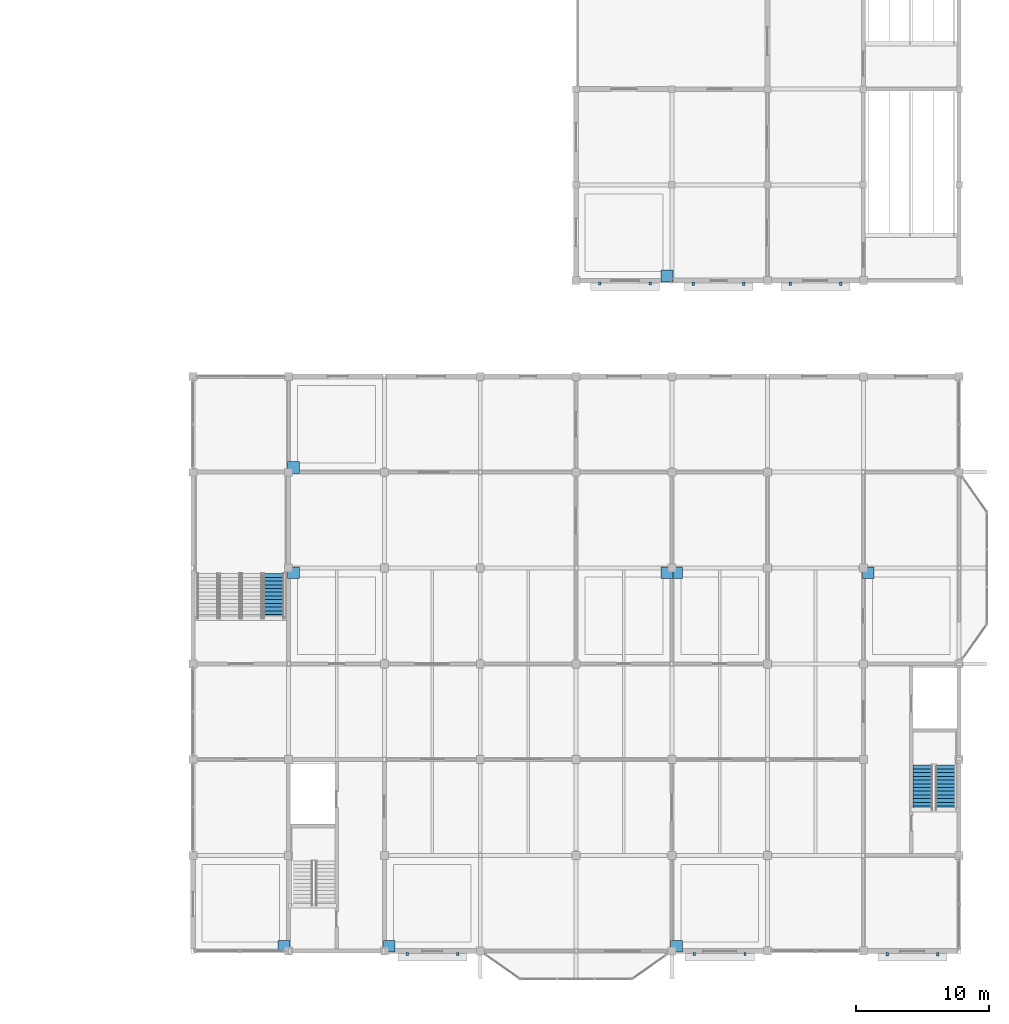
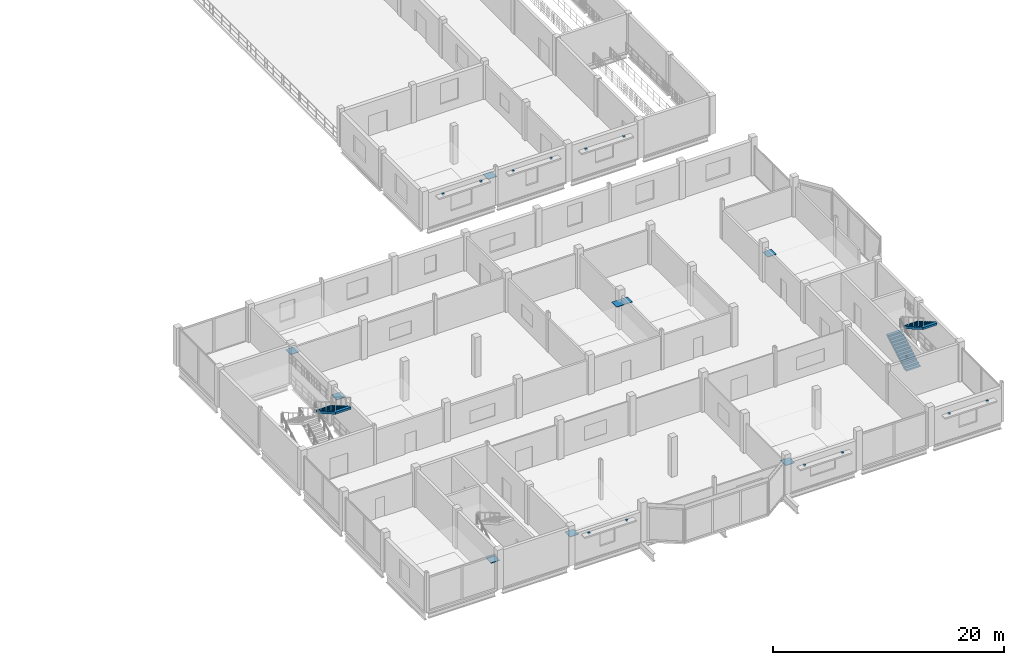
# One storey, part 41 of 51: 21 discrete accessories, 3 stair flights, 2 elements without a shape of their own.
"""IFC4 building model written with IfcOpenShell, lengths in metres."""

from ifc_helpers import new_model, si_unit, direction, frame, origin, origin_2d, place, context, subcontext, project, spatial, polyline, rectangle, outline, extrude, material, type_object, element, aggregate, save


model = new_model("IFC4")

# Units and contexts
model_context = context("Model", 3, precision=1e-05, world=origin(), true_north=direction((0.0, 1.0)))
body_context = subcontext(model_context, "Body", "Model", "MODEL_VIEW")
ifc_project = project(units=[si_unit("LENGTHUNIT", "METRE"), si_unit("AREAUNIT", "SQUARE_METRE"), si_unit("VOLUMEUNIT", "CUBIC_METRE"), si_unit("PLANEANGLEUNIT", "RADIAN"), si_unit("MASSUNIT", "GRAM", prefix="KILO")], contexts=[model_context])

# Site, building, storey
site_placement = place(None, origin())
site = spatial("IfcSite", under=ifc_project, at=site_placement, CompositionType="ELEMENT")
building_placement = place(site_placement, origin())
building = spatial("IfcBuilding", under=site, at=building_placement, Name="Vesperath Aquatics Centre", CompositionType="ELEMENT")
storey_placement = place(building_placement, frame((0.0, 0.0, 15.0)))
storey = spatial("IfcBuildingStorey", under=building, at=storey_placement, Name="L03", CompositionType="ELEMENT", Elevation=15.0)

# Stair, stair flights
ifc_material_1 = material(Name="Concrete C35", Category="concrete")
stair_type_1 = type_object("IfcStairType", Name="ST-HT42", PredefinedType="HALF_TURN_STAIR", material=ifc_material_1)
stair_1_placement = place(storey_placement, origin())
stair_1 = element("IfcStair", 1, at=stair_1_placement, inside=storey, type_object=stair_type_1, Name="Enclosed Exit Stair ST6 L03", PredefinedType="HALF_TURN_STAIR")
stair_flight_type_1 = type_object("IfcStairFlightType", Name="SF-F42", PredefinedType="STRAIGHT", material=ifc_material_1)
stair_flight_1_placement = place(storey_placement, frame((170.070068359375, 10.6201171875, 0.0), z_axis=(0.0, 0.0, 1.0), x_axis=(0.0, 1.0, 0.0)))
stair_flight_1 = element("IfcStairFlight", 2, at=stair_flight_1_placement, type_object=stair_flight_type_1, Name="Stair ST6 Flight 1 L03", NumberOfRisers=13, NumberOfTreads=12, PredefinedType="STRAIGHT", RiserHeight=0.161538, TreadLength=0.28, context=body_context, shape_type="SweptSolid", body=[
    extrude(outline(polyline([(0.0, 0.0), (0.0, 0.16162109375), (0.280029296875, 0.16162109375), (0.280029296875, 0.322998046875), (0.56005859375, 0.322998046875), (0.56005859375, 0.484619140625), (0.840087890625, 0.484619140625), (0.840087890625, 0.646240234375), (1.1201171875, 0.646240234375), (1.1201171875, 0.8076171875), (1.39990234375, 0.8076171875), (1.39990234375, 0.96923828125), (1.679931640625, 0.96923828125), (1.679931640625, 1.130859375), (1.9599609375, 1.130859375), (1.9599609375, 1.292236328125), (2.239990234375, 1.292236328125), (2.239990234375, 1.453857421875), (2.52001953125, 1.453857421875), (2.52001953125, 1.615478515625), (2.800048828125, 1.615478515625), (2.800048828125, 1.77685546875), (3.080078125, 1.77685546875), (3.080078125, 1.9384765625), (3.360107421875, 1.9384765625), (3.360107421875, 2.10009765625), (3.360107421875, 1.730712890625), (0.360107421875, 0.0), (0.0, 0.0)])), frame((0.0, 0.719970703125, 0.0), z_axis=(0.0, -1.0, 0.0), x_axis=(1.0, 0.0, 0.0)), (0.0, 0.0, 1.0), 1.43994140625),
])
stair_flight_2_placement = place(storey_placement, frame((171.75, 13.97998046875, 2.10009765625), z_axis=(0.0, 0.0, 1.0), x_axis=(0.0, -1.0, 0.0)))
stair_flight_2 = element("IfcStairFlight", 3, at=stair_flight_2_placement, type_object=stair_flight_type_1, Name="Stair ST6 Flight 2 L03", NumberOfRisers=13, NumberOfTreads=12, PredefinedType="STRAIGHT", RiserHeight=0.161538, TreadLength=0.28, context=body_context, shape_type="SweptSolid", body=[
    extrude(outline(polyline([(0.0, 0.0), (0.0, 0.16162109375), (0.280029296875, 0.16162109375), (0.280029296875, 0.322998046875), (0.56005859375, 0.322998046875), (0.56005859375, 0.484619140625), (0.840087890625, 0.484619140625), (0.840087890625, 0.646240234375), (1.1201171875, 0.646240234375), (1.1201171875, 0.8076171875), (1.39990234375, 0.8076171875), (1.39990234375, 0.96923828125), (1.679931640625, 0.96923828125), (1.679931640625, 1.130859375), (1.9599609375, 1.130859375), (1.9599609375, 1.292236328125), (2.239990234375, 1.292236328125), (2.239990234375, 1.453857421875), (2.52001953125, 1.453857421875), (2.52001953125, 1.615478515625), (2.800048828125, 1.615478515625), (2.800048828125, 1.77685546875), (3.080078125, 1.77685546875), (3.080078125, 1.9384765625), (3.360107421875, 1.9384765625), (3.360107421875, 2.10009765625), (3.360107421875, 1.730712890625), (0.360107421875, 0.0), (0.0, 0.0)])), frame((0.0, 0.719970703125, 0.0), z_axis=(0.0, -1.0, 0.0), x_axis=(1.0, 0.0, 0.0)), (0.0, 0.0, 1.0), 1.43994140625),
])
aggregate(stair_1, [stair_flight_1, stair_flight_2])

# Stair, stair flight
stair_type_2 = type_object("IfcStairType", Name="ST-HW42", PredefinedType="HALF_TURN_STAIR", material=ifc_material_1)
stair_2_placement = place(storey_placement, origin())
stair_2 = element("IfcStair", 4, at=stair_2_placement, inside=storey, type_object=stair_type_2, Name="Enclosed Exit Stair ST7B L03", PredefinedType="HALF_TURN_STAIR")
stair_flight_type_2 = type_object("IfcStairFlightType", Name="SF-W42", PredefinedType="STRAIGHT", material=ifc_material_1)
stair_flight_3_placement = place(storey_placement, frame((121.27490234375, 28.3798828125, 2.10009765625), z_axis=(0.0, 0.0, 1.0), x_axis=(0.0, -1.0, 0.0)))
stair_flight_3 = element("IfcStairFlight", 5, at=stair_flight_3_placement, type_object=stair_flight_type_2, Name="Stair ST7B Flight 2 L03", NumberOfRisers=13, NumberOfTreads=12, PredefinedType="STRAIGHT", RiserHeight=0.161538, TreadLength=0.28, context=body_context, shape_type="SweptSolid", body=[
    extrude(outline(polyline([(0.0, 0.0), (0.0, 0.16162109375), (0.280029296875, 0.16162109375), (0.280029296875, 0.322998046875), (0.56005859375, 0.322998046875), (0.56005859375, 0.484619140625), (0.840087890625, 0.484619140625), (0.840087890625, 0.646240234375), (1.1201171875, 0.646240234375), (1.1201171875, 0.8076171875), (1.39990234375, 0.8076171875), (1.39990234375, 0.96923828125), (1.679931640625, 0.96923828125), (1.679931640625, 1.130859375), (1.9599609375, 1.130859375), (1.9599609375, 1.292236328125), (2.239990234375, 1.292236328125), (2.239990234375, 1.453857421875), (2.52001953125, 1.453857421875), (2.52001953125, 1.615478515625), (2.800048828125, 1.615478515625), (2.800048828125, 1.77685546875), (3.080078125, 1.77685546875), (3.080078125, 1.9384765625), (3.360107421875, 1.9384765625), (3.360107421875, 2.10009765625), (3.360107421875, 1.730712890625), (0.360107421875, 0.0), (0.0, 0.0)])), frame((0.0, 0.78515625, 0.0), z_axis=(0.0, -1.0, 0.0), x_axis=(1.0, 0.0, 0.0)), (0.0, 0.0, 1.0), 1.570068359375),
])
aggregate(stair_2, [stair_flight_3])

# Discrete accessories
ifc_material_2 = material(Name="Stainless steel facade anchor bracket", Category="steel")
discrete_accessory_type = type_object("IfcDiscreteAccessoryType", Name="DA-BRK01", PredefinedType="BRACKET", material=ifc_material_2)
for number, where, z_axis, x_axis, name in (
    (6, (131.300048828125, -0.219970703125, 2.72998046875), (0.0, 0.0, 1.0), (1.0, 0.0, 0.0), "Sunshade Anchor Bracket BK01 L03_S_18_00-W"),
    (7, (135.10009765625, -0.219970703125, 2.72998046875), (0.0, 0.0, 1.0), (1.0, 0.0, 0.0), "Sunshade Anchor Bracket BK01 L03_S_18_00-E"),
    (8, (152.89990234375, -0.219970703125, 2.330078125), (0.0, 0.0, 1.0), (1.0, 0.0, 0.0), "Sunshade Anchor Bracket BK01 L03_S_21_00-W"),
    (9, (156.699951171875, -0.219970703125, 2.330078125), (0.0, 0.0, 1.0), (1.0, 0.0, 0.0), "Sunshade Anchor Bracket BK01 L03_S_21_00-E"),
    (10, (167.387451171875, -0.22998046875, 2.72998046875), (0.0, 0.0, 1.0), (1.0, 0.0, 0.0), "Sunshade Anchor Bracket BK01 L03_S_23_00-W"),
    (11, (171.1875, -0.22998046875, 2.72998046875), (0.0, 0.0, 1.0), (1.0, 0.0, 0.0), "Sunshade Anchor Bracket BK01 L03_S_23_00-E"),
    (12, (145.78759765625, 50.179931640625, 2.97998046875), (0.0, 0.0, 1.0), (1.0, 0.0, 0.0), "Sunshade Anchor Bracket BK01 L03_S_20_07-W"),
    (13, (149.58740234375, 50.179931640625, 2.97998046875), (0.0, 0.0, 1.0), (1.0, 0.0, 0.0), "Sunshade Anchor Bracket BK01 L03_S_20_07-E"),
    (14, (152.8125, 50.169921875, 2.97998046875), (0.0, 0.0, 1.0), (1.0, 0.0, 0.0), "Sunshade Anchor Bracket BK01 L03_S_21_07-W"),
    (15, (156.612548828125, 50.169921875, 2.97998046875), (0.0, 0.0, 1.0), (1.0, 0.0, 0.0), "Sunshade Anchor Bracket BK01 L03_S_21_07-E"),
    (16, (160.10009765625, 50.169921875, 2.72998046875), (0.0, 0.0, 1.0), (1.0, 0.0, 0.0), "Sunshade Anchor Bracket BK01 L03_S_22_07-W"),
    (17, (163.89990234375, 50.169921875, 2.72998046875), (0.0, 0.0, 1.0), (1.0, 0.0, 0.0), "Sunshade Anchor Bracket BK01 L03_S_22_07-E"),
):
    element("IfcDiscreteAccessory", number, at=place(storey_placement, frame(where, z_axis=z_axis, x_axis=x_axis)), inside=storey, type_object=discrete_accessory_type, Name=name, PredefinedType="BRACKET", context=body_context, shape_type="SweptSolid", body=[
        extrude(rectangle(XDim=0.179931640625, YDim=0.239990234375, at=origin_2d()), origin(), (0.0, 0.0, 1.0), 0.179931640625),
    ])
for number, where, z_axis, x_axis, name in (
    (18, (122.0400390625, 0.360107421875, 2.8701171875), (0.0, 0.0, 1.0), (1.0, 0.0, 0.0), "Ceiling Perimeter Suspension Bracket BK01 L03_AEROBIC"),
    (19, (129.9599609375, 0.360107421875, 2.8701171875), (0.0, 0.0, 1.0), (1.0, 0.0, 0.0), "Ceiling Perimeter Suspension Bracket BK01 L03_YOGA"),
    (20, (151.56005859375, 0.360107421875, 2.8701171875), (0.0, 0.0, 1.0), (1.0, 0.0, 0.0), "Ceiling Perimeter Suspension Bracket BK01 L03_VO2_LAB"),
    (21, (122.760009765625, 28.43994140625, 2.8701171875), (0.0, 0.0, 1.0), (1.0, 0.0, 0.0), "Ceiling Perimeter Suspension Bracket BK01 L03_BIOMECH"),
    (22, (150.840087890625, 28.43994140625, 2.8701171875), (0.0, 0.0, 1.0), (1.0, 0.0, 0.0), "Ceiling Perimeter Suspension Bracket BK01 L03_MWC"),
    (23, (151.56005859375, 28.43994140625, 2.8701171875), (0.0, 0.0, 1.0), (1.0, 0.0, 0.0), "Ceiling Perimeter Suspension Bracket BK01 L03_FWC"),
    (24, (165.9599609375, 28.43994140625, 2.8701171875), (0.0, 0.0, 1.0), (1.0, 0.0, 0.0), "Ceiling Perimeter Suspension Bracket BK01 L03_AWC"),
    (25, (122.760009765625, 36.360107421875, 2.8701171875), (0.0, 0.0, 1.0), (1.0, 0.0, 0.0), "Ceiling Perimeter Suspension Bracket BK01 L03_PHYS_LAB"),
    (26, (150.840087890625, 50.760009765625, 2.8701171875), (0.0, 0.0, 1.0), (1.0, 0.0, 0.0), "Ceiling Perimeter Suspension Bracket BK01 L03_TEA_SALON"),
):
    element("IfcDiscreteAccessory", number, at=place(storey_placement, frame(where, z_axis=z_axis, x_axis=x_axis)), inside=storey, type_object=discrete_accessory_type, Name=name, PredefinedType="BRACKET", context=body_context, shape_type="SweptSolid", body=[
        extrude(rectangle(XDim=0.8798828125, YDim=0.8798828125, at=origin_2d()), origin(), (0.0, 0.0, 1.0), 0.054931640625),
    ])

save(model, "model.ifc")
